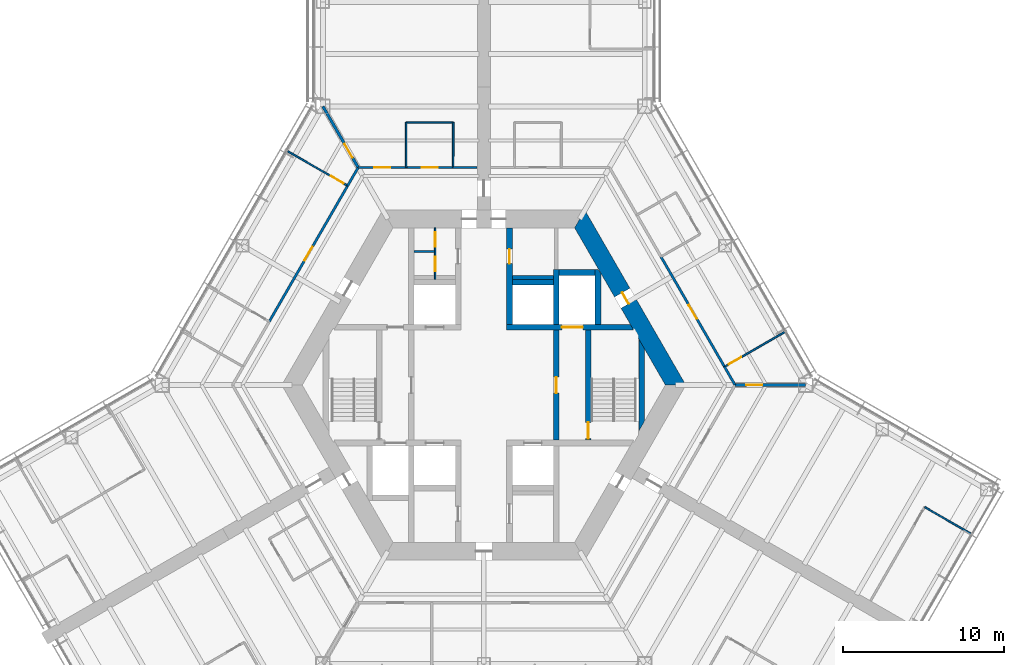
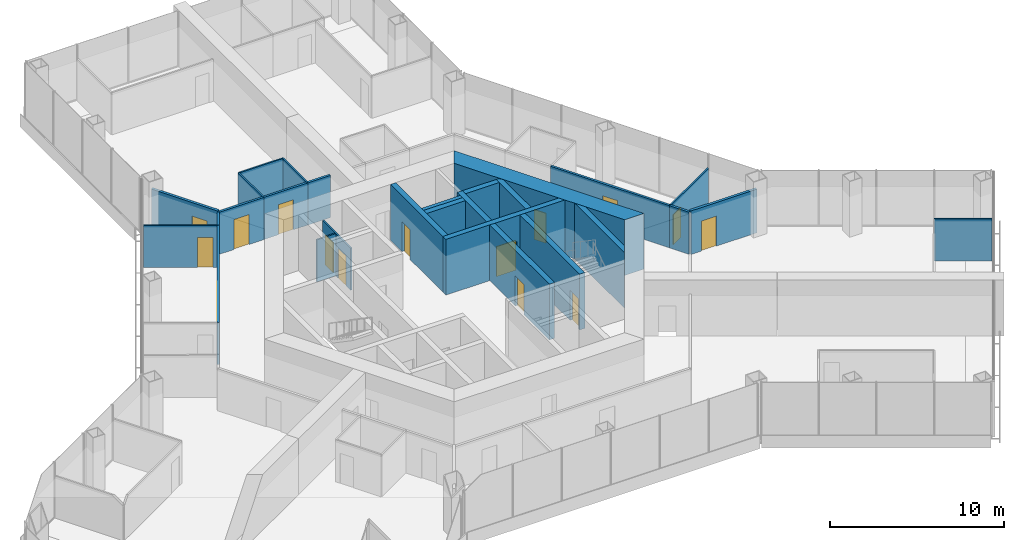
# One storey, part 14 of 18: 28 walls, 15 doors, 15 openings.
"""IFC4 building model written with IfcOpenShell, lengths in metres."""

from ifc_helpers import new_model, si_unit, direction, frame, frame_2d, origin, place, context, subcontext, project, spatial, polyline, rectangle, outline, extrude, material, layer, layer_set, type_object, element, fill, save


model = new_model("IFC4")

# Units and contexts
model_context = context("Model", 3, precision=1e-05, world=origin(), true_north=direction((0.0, 1.0)))
body_context = subcontext(model_context, "Body", "Model", "MODEL_VIEW")
ifc_project = project(units=[si_unit("LENGTHUNIT", "METRE"), si_unit("AREAUNIT", "SQUARE_METRE"), si_unit("VOLUMEUNIT", "CUBIC_METRE"), si_unit("PLANEANGLEUNIT", "RADIAN"), si_unit("MASSUNIT", "GRAM", prefix="KILO")], contexts=[model_context])

# Site, building, storey
site_placement = place(None, origin())
site = spatial("IfcSite", under=ifc_project, at=site_placement, CompositionType="ELEMENT")
building_placement = place(site_placement, origin())
building = spatial("IfcBuilding", under=site, at=building_placement, Name="Kasaneha Research Tower", CompositionType="ELEMENT")
storey_placement = place(building_placement, frame((0.0, 0.0, 72.89990234375)))
storey = spatial("IfcBuildingStorey", under=building, at=storey_placement, Name="L18", CompositionType="ELEMENT", Elevation=72.89990234375)

# Wall, opening, door
ifc_material_1 = material(Name="Concrete Fc80", Category="concrete")
ifc_layer_1 = layer(ifc_material_1, 0.35009765625)
ifc_layer_set_1 = layer_set([ifc_layer_1], Name="Core internal wall 350 Fc80")
wall_type_1 = type_object("IfcWallType", Name="Core internal wall 350 Fc80", PredefinedType="SHEAR", material=ifc_layer_set_1)
wall_1_placement = place(storey_placement, frame((1.425048828125, 3.60009765625, 0.0), z_axis=(0.0, 0.0, 1.0), x_axis=(1.0, 0.0, 0.0)))
wall_1 = element("IfcWall", 1, at=wall_1_placement, inside=storey, type_object=wall_type_1, Name="Core wall W1E L18", PredefinedType="SHEAR", context=body_context, shape_type="SweptSolid", body=[
    extrude(outline(polyline([(0.0, -0.175048828125), (3.425048828125, -0.175048828125), (4.72509765625, -0.175048828125), (7.884765625, -0.175048828125), (7.6826171875, 0.175048828125), (4.72509765625, 0.175048828125), (3.425048828125, 0.175048828125), (0.0, 0.175048828125), (0.0, -0.175048828125)])), origin(), (0.0, 0.0, 1.0), 3.900146484375),
])
opening_1_placement = place(wall_1_placement, frame((3.425048828125, 0.0, 0.0)))
opening_1 = element("IfcOpeningElement", 2, at=opening_1_placement, cuts=wall_1, Name="Opening LD-FL1-L18", PredefinedType="OPENING", context=body_context, shape_type="SweptSolid", body=[
    extrude(rectangle(XDim=1.300048828125, YDim=2.10009765625, at=frame_2d((0.64990234375, 1.050048828125))), frame((0.0, 0.18505859375, 0.0), z_axis=(0.0, -1.0, 0.0), x_axis=(1.0, 0.0, 0.0)), (0.0, 0.0, 1.0), 0.3701171875),
])
ifc_material_2 = material(Name="Steel", Category="steel")
door_type_1 = type_object("IfcDoorType", Name="Lift landing door 1300x2100", OperationType="DOUBLE_DOOR_SLIDING", PredefinedType="DOOR", material=ifc_material_2)
door_1_placement = place(opening_1_placement, origin())
door_1 = element("IfcDoor", 3, at=door_1_placement, inside=storey, type_object=door_type_1, Name="Landing door FL1 LD-FL1-L18", OperationType="DOUBLE_DOOR_SLIDING", OverallHeight=2.10009765625, OverallWidth=1.300048828125, PredefinedType="DOOR", context=body_context, shape_type="SweptSolid", body=[
    extrude(rectangle(XDim=1.300048828125, YDim=2.10009765625, at=frame_2d((0.64990234375, 1.050048828125))), frame((0.0, 0.02490234375, 0.0), z_axis=(0.0, -1.0, 0.0), x_axis=(1.0, 0.0, 0.0)), (0.0, 0.0, 1.0), 0.050048828125),
])
fill(opening_1, door_1)

wall_2_placement = place(storey_placement, frame((1.60009765625, 3.77490234375, 0.0), z_axis=(0.0, 0.0, 1.0), x_axis=(0.0, 1.0, 0.0)))
wall_2 = element("IfcWall", 4, at=wall_2_placement, inside=storey, type_object=wall_type_1, Name="Core wall CNE L18", PredefinedType="SHEAR", context=body_context, shape_type="SweptSolid", body=[
    extrude(rectangle(XDim=6.0, YDim=0.35009765625, at=frame_2d((3.0, 0.0))), origin(), (0.0, 0.0, 1.0), 3.900146484375),
])
opening_2_placement = place(wall_2_placement, frame((3.77490234375, 0.0, 0.0)))
opening_2 = element("IfcOpeningElement", 5, at=opening_2_placement, cuts=wall_2, Name="Opening L18-D14", PredefinedType="OPENING", context=body_context, shape_type="SweptSolid", body=[
    extrude(rectangle(XDim=0.89990234375, YDim=2.10009765625, at=frame_2d((0.449951171875, 1.050048828125))), frame((0.0, 0.18505859375, 0.0), z_axis=(0.0, -1.0, 0.0), x_axis=(1.0, 0.0, 0.0)), (0.0, 0.0, 1.0), 0.3701171875),
])
ifc_material_3 = material(Name="Steel", Category="steel")
door_type_2 = type_object("IfcDoorType", Name="Toilet door FD20 900x2100", OperationType="NOTDEFINED", PredefinedType="DOOR", material=ifc_material_3)
door_2_placement = place(opening_2_placement, origin())
door_2 = element("IfcDoor", 6, at=door_2_placement, inside=storey, type_object=door_type_2, Name="Women's WC door L18-D14", OperationType="SINGLE_SWING_LEFT", OverallHeight=2.10009765625, OverallWidth=0.89990234375, PredefinedType="DOOR", context=body_context, shape_type="SweptSolid", body=[
    extrude(rectangle(XDim=0.89990234375, YDim=2.10009765625, at=frame_2d((0.449951171875, 1.050048828125))), frame((0.0, 0.02490234375, 0.0), z_axis=(0.0, -1.0, 0.0), x_axis=(1.0, 0.0, 0.0)), (0.0, 0.0, 1.0), 0.050048828125),
])
fill(opening_2, door_2)

wall_3_placement = place(storey_placement, frame((4.5, -3.425048828125, 0.0), z_axis=(0.0, 0.0, 1.0), x_axis=(0.0, 1.0, 0.0)))
wall_3 = element("IfcWall", 7, at=wall_3_placement, inside=storey, type_object=wall_type_1, Name="Core wall LBE L18", PredefinedType="SHEAR", context=body_context, shape_type="SweptSolid", body=[
    extrude(rectangle(XDim=6.85009765625, YDim=0.35009765625, at=frame_2d((3.425048828125, 0.0))), origin(), (0.0, 0.0, 1.0), 3.900146484375),
])
opening_3_placement = place(wall_3_placement, frame((2.925048828125, 0.0, 0.0)))
opening_3 = element("IfcOpeningElement", 8, at=opening_3_placement, cuts=wall_3, Name="Opening L18-D08", PredefinedType="OPENING", context=body_context, shape_type="SweptSolid", body=[
    extrude(rectangle(XDim=1.0, YDim=2.10009765625, at=frame_2d((0.5, 1.050048828125))), frame((0.0, 0.18505859375, 0.0), z_axis=(0.0, -1.0, 0.0), x_axis=(1.0, 0.0, 0.0)), (0.0, 0.0, 1.0), 0.3701171875),
])
ifc_material_4 = material(Name="Steel", Category="steel")
door_type_3 = type_object("IfcDoorType", Name="Specified fire door FD60 1000x2100", OperationType="NOTDEFINED", PredefinedType="DOOR", material=ifc_material_4)
door_3_placement = place(opening_3_placement, origin())
door_3 = element("IfcDoor", 9, at=door_3_placement, inside=storey, type_object=door_type_3, Name="Lift lobby door east L18-D08", OperationType="SINGLE_SWING_LEFT", OverallHeight=2.10009765625, OverallWidth=1.0, PredefinedType="DOOR", context=body_context, shape_type="SweptSolid", body=[
    extrude(rectangle(XDim=1.0, YDim=2.10009765625, at=frame_2d((0.5, 1.050048828125))), frame((0.0, 0.02490234375, 0.0), z_axis=(0.0, -1.0, 0.0), x_axis=(1.0, 0.0, 0.0)), (0.0, 0.0, 1.0), 0.050048828125),
])
fill(opening_3, door_3)

wall_4_placement = place(storey_placement, frame((6.5, -3.425048828125, 0.0), z_axis=(0.0, 0.0, 1.0), x_axis=(0.0, 1.0, 0.0)))
wall_4 = element("IfcWall", 10, at=wall_4_placement, inside=storey, type_object=wall_type_1, Name="Core wall ANE L18", PredefinedType="SHEAR", context=body_context, shape_type="SweptSolid", body=[
    extrude(rectangle(XDim=6.85009765625, YDim=0.35009765625, at=frame_2d((3.425048828125, 0.0))), origin(), (0.0, 0.0, 1.0), 3.900146484375),
])
opening_4_placement = place(wall_4_placement, frame((0.10009765625, 0.0, 0.0)))
opening_4 = element("IfcOpeningElement", 11, at=opening_4_placement, cuts=wall_4, Name="Opening L18-D10", PredefinedType="OPENING", context=body_context, shape_type="SweptSolid", body=[
    extrude(rectangle(XDim=1.0, YDim=2.10009765625, at=frame_2d((0.5, 1.050048828125))), frame((0.0, 0.18505859375, 0.0), z_axis=(0.0, -1.0, 0.0), x_axis=(1.0, 0.0, 0.0)), (0.0, 0.0, 1.0), 0.3701171875),
])
door_4_placement = place(opening_4_placement, origin())
door_4 = element("IfcDoor", 12, at=door_4_placement, inside=storey, type_object=door_type_3, Name="Stair 1 door L18-D10", OperationType="SINGLE_SWING_LEFT", OverallHeight=2.10009765625, OverallWidth=1.0, PredefinedType="DOOR", context=body_context, shape_type="SweptSolid", body=[
    extrude(rectangle(XDim=1.0, YDim=2.10009765625, at=frame_2d((0.5, 1.050048828125))), frame((0.0, 0.02490234375, 0.0), z_axis=(0.0, -1.0, 0.0), x_axis=(1.0, 0.0, 0.0)), (0.0, 0.0, 1.0), 0.050048828125),
])
fill(opening_4, door_4)

# Walls
wall_5_placement = place(storey_placement, frame((4.5, 3.77490234375, 0.0), z_axis=(0.0, 0.0, 1.0), x_axis=(0.0, 1.0, 0.0)))
element("IfcWall", 13, at=wall_5_placement, inside=storey, type_object=wall_type_1, Name="Core wall FNE L18", PredefinedType="SHEAR", context=body_context, shape_type="SweptSolid", body=[
    extrude(rectangle(XDim=3.400146484375, YDim=0.35009765625, at=frame_2d((1.7001953125, 0.0))), origin(), (0.0, 0.0, 1.0), 3.900146484375),
])
wall_6_placement = place(storey_placement, frame((1.77490234375, 6.39990234375, 0.0), z_axis=(0.0, 0.0, 1.0), x_axis=(1.0, 0.0, 0.0)))
element("IfcWall", 14, at=wall_6_placement, inside=storey, type_object=wall_type_1, Name="Core wall N3N L18", PredefinedType="SHEAR", context=body_context, shape_type="SweptSolid", body=[
    extrude(rectangle(XDim=2.550048828125, YDim=0.35009765625, at=frame_2d((1.27490234375, 0.0))), origin(), (0.0, 0.0, 1.0), 3.900146484375),
])
wall_7_placement = place(storey_placement, frame((4.675048828125, 7.0, 0.0), z_axis=(0.0, 0.0, 1.0), x_axis=(1.0, 0.0, 0.0)))
element("IfcWall", 15, at=wall_7_placement, inside=storey, type_object=wall_type_1, Name="Core wall F1N L18", PredefinedType="SHEAR", context=body_context, shape_type="SweptSolid", body=[
    extrude(rectangle(XDim=2.25, YDim=0.35009765625, at=frame_2d((1.125, 0.0))), origin(), (0.0, 0.0, 1.0), 3.900146484375),
])
wall_8_placement = place(storey_placement, frame((7.10009765625, 3.77490234375, 0.0), z_axis=(0.0, 0.0, 1.0), x_axis=(0.0, 1.0, 0.0)))
element("IfcWall", 16, at=wall_8_placement, inside=storey, type_object=wall_type_1, Name="Core wall F1E L18", PredefinedType="SHEAR", context=body_context, shape_type="SweptSolid", body=[
    extrude(outline(polyline([(0.0, -0.175048828125), (3.174560546875, -0.175048828125), (3.400146484375, 0.0), (3.400146484375, 0.175048828125), (0.0, 0.175048828125), (0.0, -0.175048828125)])), origin(), (0.0, 0.0, 1.0), 3.900146484375),
])
wall_9_placement = place(storey_placement, frame((9.807861328125, -2.562255859375, 0.0), z_axis=(0.0, 0.0, 1.0), x_axis=(0.0, 1.0, 0.0)))
element("IfcWall", 17, at=wall_9_placement, inside=storey, type_object=wall_type_1, Name="Core wall STE L18", PredefinedType="SHEAR", context=body_context, shape_type="SweptSolid", body=[
    extrude(outline(polyline([(0.30322265625, -0.175048828125), (4.8212890625, -0.175048828125), (5.427734375, 0.175048828125), (-0.30322265625, 0.175048828125), (0.30322265625, -0.175048828125)])), origin(), (0.0, 0.0, 1.0), 3.900146484375),
])

# Wall, opening, door
ifc_material_5 = material(Name="Concrete Fc80", Category="concrete")
ifc_layer_2 = layer(ifc_material_5, 1.10009765625)
ifc_layer_set_2 = layer_set([ifc_layer_2], Name="Core wall 1100 Fc80")
wall_type_2 = type_object("IfcWallType", Name="Core wall 1100 Fc80", PredefinedType="SHEAR", material=ifc_layer_set_2)
wall_10_placement = place(storey_placement, frame((11.92236328125, 0.0, 0.0), z_axis=(0.0, 0.0, 1.0), x_axis=(-0.500004296715, 0.866022923061, 0.0)))
wall_10 = element("IfcWall", 18, at=wall_10_placement, inside=storey, type_object=wall_type_2, Name="Core wall 030 L18", PredefinedType="SHEAR", context=body_context, shape_type="SweptSolid", body=[
    extrude(outline(polyline([(-0.317626953125, -0.550048828125), (5.83544921875, -0.550048828125), (6.635498046875, -0.550048828125), (12.239990234375, -0.550048828125), (11.604736328125, 0.550048828125), (6.635498046875, 0.550048828125), (5.83544921875, 0.550048828125), (0.317626953125, 0.550048828125), (-0.317626953125, -0.550048828125)])), origin(), (0.0, 0.0, 1.0), 3.900146484375),
])
opening_5_placement = place(wall_10_placement, frame((5.83544921875, 0.0, 0.0)))
opening_5 = element("IfcOpeningElement", 19, at=opening_5_placement, cuts=wall_10, Name="Opening L18-D04", PredefinedType="OPENING", context=body_context, shape_type="SweptSolid", body=[
    extrude(rectangle(XDim=0.800048828125, YDim=2.10009765625, at=frame_2d((0.39990234375, 1.050048828125))), frame((0.0, 0.56005859375, 0.0), z_axis=(0.0, -1.0, 0.0), x_axis=(1.0, 0.0, 0.0)), (0.0, 0.0, 1.0), 1.1201171875),
])
ifc_material_6 = material(Name="Steel", Category="steel")
door_type_4 = type_object("IfcDoorType", Name="Riser access door FD60 800x2100", OperationType="NOTDEFINED", PredefinedType="DOOR", material=ifc_material_6)
door_5_placement = place(opening_5_placement, origin())
door_5 = element("IfcDoor", 20, at=door_5_placement, inside=storey, type_object=door_type_4, Name="Pipe riser door L18-D04", OperationType="SINGLE_SWING_RIGHT", OverallHeight=2.10009765625, OverallWidth=0.800048828125, PredefinedType="DOOR", context=body_context, shape_type="SweptSolid", body=[
    extrude(rectangle(XDim=0.800048828125, YDim=2.10009765625, at=frame_2d((0.39990234375, 1.050048828125))), frame((0.0, 0.02490234375, 0.0), z_axis=(0.0, -1.0, 0.0), x_axis=(1.0, 0.0, 0.0)), (0.0, 0.0, 1.0), 0.050048828125),
])
fill(opening_5, door_5)

# Wall, openings, doors
ifc_material_7 = material(Name="Gypsum board on steel studs, one layer each side", Category="steel")
ifc_layer_3 = layer(ifc_material_7, 0.10009765625)
ifc_layer_set_3 = layer_set([ifc_layer_3], Name="Office partition 100")
wall_type_3 = type_object("IfcWallType", Name="Office partition 100", PredefinedType="PARTITIONING", material=ifc_layer_set_3)
wall_11_placement = place(storey_placement, frame((-3.02490234375, 6.574951171875, 0.0), z_axis=(0.0, 0.0, 1.0), x_axis=(0.0, 1.0, 0.0)))
wall_11 = element("IfcWall", 21, at=wall_11_placement, inside=storey, type_object=wall_type_3, Name="Office partition TBM1 L18", PredefinedType="PARTITIONING", context=body_context, shape_type="SweptSolid", body=[
    extrude(rectangle(XDim=3.199951171875, YDim=0.10009765625, at=frame_2d((1.60009765625, 0.0))), origin(), (0.0, 0.0, 1.0), 2.9501953125),
])
opening_6_placement = place(wall_11_placement, frame((0.512451171875, 0.0, 0.0)))
opening_6 = element("IfcOpeningElement", 22, at=opening_6_placement, cuts=wall_11, Name="Opening L18-D20", PredefinedType="OPENING", context=body_context, shape_type="SweptSolid", body=[
    extrude(rectangle(XDim=0.89990234375, YDim=2.10009765625, at=frame_2d((0.449951171875, 1.050048828125))), frame((0.0, 0.06005859375, 0.0), z_axis=(0.0, -1.0, 0.0), x_axis=(1.0, 0.0, 0.0)), (0.0, 0.0, 1.0), 0.1201171875),
])
opening_7_placement = place(wall_11_placement, frame((2.03759765625, 0.0, 0.0)))
opening_7 = element("IfcOpeningElement", 23, at=opening_7_placement, cuts=wall_11, Name="Opening L18-D21", PredefinedType="OPENING", context=body_context, shape_type="SweptSolid", body=[
    extrude(rectangle(XDim=0.89990234375, YDim=2.10009765625, at=frame_2d((0.449951171875, 1.050048828125))), frame((0.0, 0.06005859375, 0.0), z_axis=(0.0, -1.0, 0.0), x_axis=(1.0, 0.0, 0.0)), (0.0, 0.0, 1.0), 0.1201171875),
])
ifc_material_8 = material(Name="Steel", Category="steel")
door_type_5 = type_object("IfcDoorType", Name="Toilet lobby door FD30 900x2100", OperationType="NOTDEFINED", PredefinedType="DOOR", material=ifc_material_8)
door_6_placement = place(opening_6_placement, origin())
door_6 = element("IfcDoor", 24, at=door_6_placement, inside=storey, type_object=door_type_5, Name="Men's WC door L18-D20", OperationType="SINGLE_SWING_RIGHT", OverallHeight=2.10009765625, OverallWidth=0.89990234375, PredefinedType="DOOR", context=body_context, shape_type="SweptSolid", body=[
    extrude(rectangle(XDim=0.89990234375, YDim=2.10009765625, at=frame_2d((0.449951171875, 1.050048828125))), frame((0.0, 0.02490234375, 0.0), z_axis=(0.0, -1.0, 0.0), x_axis=(1.0, 0.0, 0.0)), (0.0, 0.0, 1.0), 0.050048828125),
])
fill(opening_6, door_6)
door_7_placement = place(opening_7_placement, origin())
door_7 = element("IfcDoor", 25, at=door_7_placement, inside=storey, type_object=door_type_5, Name="Cleaner's store door L18-D21", OperationType="SINGLE_SWING_RIGHT", OverallHeight=2.10009765625, OverallWidth=0.89990234375, PredefinedType="DOOR", context=body_context, shape_type="SweptSolid", body=[
    extrude(rectangle(XDim=0.89990234375, YDim=2.10009765625, at=frame_2d((0.449951171875, 1.050048828125))), frame((0.0, 0.02490234375, 0.0), z_axis=(0.0, -1.0, 0.0), x_axis=(1.0, 0.0, 0.0)), (0.0, 0.0, 1.0), 0.050048828125),
])
fill(opening_7, door_7)

# Wall
wall_12_placement = place(storey_placement, frame((-3.074951171875, 8.300048828125, 0.0), z_axis=(0.0, 0.0, 1.0), x_axis=(-1.0, 0.0, 0.0)))
element("IfcWall", 26, at=wall_12_placement, inside=storey, type_object=wall_type_3, Name="Office partition TBM2 L18", PredefinedType="PARTITIONING", context=body_context, shape_type="SweptSolid", body=[
    extrude(rectangle(XDim=1.25, YDim=0.10009765625, at=frame_2d((0.625, 0.0))), origin(), (0.0, 0.0, 1.0), 2.9501953125),
])

# Wall, opening, door
wall_13_placement = place(storey_placement, frame((14.961669921875, 1.1357421875, 0.0), z_axis=(0.0, 0.0, 1.0), x_axis=(0.865503653685, 0.500902610751, 0.0)))
wall_13 = element("IfcWall", 27, at=wall_13_placement, inside=storey, type_object=wall_type_3, Name="Office partition FAE21 L18", PredefinedType="PARTITIONING", context=body_context, shape_type="SweptSolid", body=[
    extrude(rectangle(XDim=4.3203125, YDim=0.10009765625, at=frame_2d((2.16015625, 0.0))), origin(), (0.0, 0.0, 1.0), 2.9501953125),
])
opening_8_placement = place(wall_13_placement, frame((0.300048828125, 0.0, 0.0)))
opening_8 = element("IfcOpeningElement", 28, at=opening_8_placement, cuts=wall_13, Name="Opening L18-D31", PredefinedType="OPENING", context=body_context, shape_type="SweptSolid", body=[
    extrude(rectangle(XDim=0.89990234375, YDim=2.10009765625, at=frame_2d((0.449951171875, 1.050048828125))), frame((0.0, 0.06005859375, 0.0), z_axis=(0.0, -1.0, 0.0), x_axis=(1.0, 0.0, 0.0)), (0.0, 0.0, 1.0), 0.1201171875),
])
ifc_material_9 = material(Name="Timber veneer", Category="wood")
door_type_6 = type_object("IfcDoorType", Name="Office door 900x2100", OperationType="SINGLE_SWING_LEFT", PredefinedType="DOOR", material=ifc_material_9)
door_8_placement = place(opening_8_placement, origin())
door_8 = element("IfcDoor", 29, at=door_8_placement, inside=storey, type_object=door_type_6, Name="Phone room door L18-D31", OperationType="SINGLE_SWING_LEFT", OverallHeight=2.10009765625, OverallWidth=0.89990234375, PredefinedType="DOOR", context=body_context, shape_type="SweptSolid", body=[
    extrude(rectangle(XDim=0.89990234375, YDim=2.10009765625, at=frame_2d((0.449951171875, 1.050048828125))), frame((0.0, 0.02490234375, 0.0), z_axis=(0.0, -1.0, 0.0), x_axis=(1.0, 0.0, 0.0)), (0.0, 0.0, 1.0), 0.050048828125),
])
fill(opening_8, door_8)

# Walls
wall_14_placement = place(storey_placement, frame((-4.8291015625, 16.324951171875, 0.0), z_axis=(0.0, 0.0, 1.0), x_axis=(1.0, 0.0, 0.0)))
element("IfcWall", 30, at=wall_14_placement, inside=storey, type_object=wall_type_3, Name="Office partition FAW04 L18", PredefinedType="PARTITIONING", context=body_context, shape_type="SweptSolid", body=[
    extrude(rectangle(XDim=2.92919921875, YDim=0.10009765625, at=frame_2d((1.464599609375, 0.0))), origin(), (0.0, 0.0, 1.0), 2.9501953125),
])
for number, where, z_axis, x_axis, name in (
    (31, (-4.824462890625, 13.52490234375, 0.0), (0.0, 0.0, 1.0), (-0.001656637364, 0.999998627775, 0.0), "Office partition FAW05 L18"),
    (32, (-1.89990234375, 16.324951171875, 0.0), (0.0, 0.0, 1.0), (-0.001656637364, -0.999998627775, 0.0), "Office partition FAW06 L18"),
):
    element("IfcWall", number, at=place(storey_placement, frame(where, z_axis=z_axis, x_axis=x_axis)), inside=storey, type_object=wall_type_3, Name=name, PredefinedType="PARTITIONING", context=body_context, shape_type="SweptSolid", body=[
        extrude(rectangle(XDim=2.800048828125, YDim=0.10009765625, at=frame_2d((1.39990234375, 0.0))), origin(), (0.0, 0.0, 1.0), 2.9501953125),
    ])

# Wall, opening, door
wall_15_placement = place(storey_placement, frame((-8.46435546875, 12.389404296875, 0.0), z_axis=(0.0, 0.0, 1.0), x_axis=(-0.866548715099, 0.499092500806, 0.0)))
wall_15 = element("IfcWall", 33, at=wall_15_placement, inside=storey, type_object=wall_type_3, Name="Office partition FBN11 L18", PredefinedType="PARTITIONING", context=body_context, shape_type="SweptSolid", body=[
    extrude(rectangle(XDim=4.29541015625, YDim=0.10009765625, at=frame_2d((2.147705078125, 0.0))), origin(), (0.0, 0.0, 1.0), 2.9501953125),
])
opening_9_placement = place(wall_15_placement, frame((0.300048828125, 0.0, 0.0)))
opening_9 = element("IfcOpeningElement", 34, at=opening_9_placement, cuts=wall_15, Name="Opening L18-D39", PredefinedType="OPENING", context=body_context, shape_type="SweptSolid", body=[
    extrude(rectangle(XDim=0.89990234375, YDim=2.10009765625, at=frame_2d((0.449951171875, 1.050048828125))), frame((0.0, 0.06005859375, 0.0), z_axis=(0.0, -1.0, 0.0), x_axis=(1.0, 0.0, 0.0)), (0.0, 0.0, 1.0), 0.1201171875),
])
door_9_placement = place(opening_9_placement, origin())
door_9 = element("IfcDoor", 35, at=door_9_placement, inside=storey, type_object=door_type_6, Name="Workroom door L18-D39", OperationType="SINGLE_SWING_LEFT", OverallHeight=2.10009765625, OverallWidth=0.89990234375, PredefinedType="DOOR", context=body_context, shape_type="SweptSolid", body=[
    extrude(rectangle(XDim=0.89990234375, YDim=2.10009765625, at=frame_2d((0.449951171875, 1.050048828125))), frame((0.0, 0.02490234375, 0.0), z_axis=(0.0, -1.0, 0.0), x_axis=(1.0, 0.0, 0.0)), (0.0, 0.0, 1.0), 0.050048828125),
])
fill(opening_9, door_9)

# Walls
wall_16_placement = place(storey_placement, frame((27.400146484375, -7.58251953125, 0.0), z_axis=(0.0, 0.0, 1.0), x_axis=(0.866008176907, -0.50002983664, 0.0)))
element("IfcWall", 36, at=wall_16_placement, inside=storey, type_object=wall_type_3, Name="Office partition FCE03 L18", PredefinedType="PARTITIONING", context=body_context, shape_type="SweptSolid", body=[
    extrude(rectangle(XDim=3.300048828125, YDim=0.10009765625, at=frame_2d((1.64990234375, 0.0))), origin(), (0.0, 0.0, 1.0), 2.9501953125),
])
ifc_material_10 = material(Name="Gypsum board on steel studs, two layers each side", Category="steel")
ifc_layer_4 = layer(ifc_material_10, 0.14990234375)
ifc_layer_set_4 = layer_set([ifc_layer_4], Name="Suite partition 150")
wall_type_4 = type_object("IfcWallType", Name="Suite partition 150", PredefinedType="PARTITIONING", material=ifc_layer_set_4)
wall_17_placement = place(storey_placement, frame((14.956787109375, 1.143798828125, 0.0), z_axis=(0.0, 0.0, 1.0), x_axis=(0.500064441305, -0.865988195383, 0.0)))
element("IfcWall", 37, at=wall_17_placement, inside=storey, type_object=wall_type_4, Name="Suite partition FAE03 L18", PredefinedType="PARTITIONING", context=body_context, shape_type="SweptSolid", body=[
    extrude(rectangle(XDim=1.297607421875, YDim=0.14990234375, at=frame_2d((0.64892578125, 0.0))), origin(), (0.0, 0.0, 1.0), 2.9501953125),
])

# Wall, opening, door
wall_18_placement = place(storey_placement, frame((11.0107421875, 7.978759765625, 0.0), z_axis=(0.0, 0.0, 1.0), x_axis=(0.500010411682, -0.866019392513, 0.0)))
wall_18 = element("IfcWall", 38, at=wall_18_placement, inside=storey, type_object=wall_type_4, Name="Suite partition FAE07 L18", PredefinedType="PARTITIONING", context=body_context, shape_type="SweptSolid", body=[
    extrude(rectangle(XDim=7.901611328125, YDim=0.14990234375, at=frame_2d((3.95068359375, 0.0))), origin(), (0.0, 0.0, 1.0), 2.9501953125),
])
opening_10_placement = place(wall_18_placement, frame((3.450927734375, 0.0, 0.0)))
opening_10 = element("IfcOpeningElement", 39, at=opening_10_placement, cuts=wall_18, Name="Opening L18-D26", PredefinedType="OPENING", context=body_context, shape_type="SweptSolid", body=[
    extrude(rectangle(XDim=1.0, YDim=2.10009765625, at=frame_2d((0.5, 1.050048828125))), frame((0.0, 0.0849609375, 0.0), z_axis=(0.0, -1.0, 0.0), x_axis=(1.0, 0.0, 0.0)), (0.0, 0.0, 1.0), 0.169921875),
])
ifc_material_11 = material(Name="Steel", Category="steel")
door_type_7 = type_object("IfcDoorType", Name="Suite entrance door FD60 1000x2100", OperationType="NOTDEFINED", PredefinedType="DOOR", material=ifc_material_11)
door_10_placement = place(opening_10_placement, origin())
door_10 = element("IfcDoor", 40, at=door_10_placement, inside=storey, type_object=door_type_7, Name="Suite entrance door L18-D26", OperationType="SINGLE_SWING_RIGHT", OverallHeight=2.10009765625, OverallWidth=1.0, PredefinedType="DOOR", context=body_context, shape_type="SweptSolid", body=[
    extrude(rectangle(XDim=1.0, YDim=2.10009765625, at=frame_2d((0.5, 1.050048828125))), frame((0.0, 0.02490234375, 0.0), z_axis=(0.0, -1.0, 0.0), x_axis=(1.0, 0.0, 0.0)), (0.0, 0.0, 1.0), 0.050048828125),
])
fill(opening_10, door_10)

wall_19_placement = place(storey_placement, frame((-4.833984375, 13.52490234375, 0.0), z_axis=(0.0, 0.0, 1.0), x_axis=(1.0, 0.0, 0.0)))
wall_19 = element("IfcWall", 41, at=wall_19_placement, inside=storey, type_object=wall_type_4, Name="Suite partition FAW01 L18", PredefinedType="PARTITIONING", context=body_context, shape_type="SweptSolid", body=[
    extrude(rectangle(XDim=2.93896484375, YDim=0.14990234375, at=frame_2d((1.469482421875, 0.0))), origin(), (0.0, 0.0, 1.0), 2.9501953125),
])
opening_11_placement = place(wall_19_placement, frame((0.969482421875, 0.0, 0.0)))
opening_11 = element("IfcOpeningElement", 42, at=opening_11_placement, cuts=wall_19, Name="Opening L18-D32", PredefinedType="OPENING", context=body_context, shape_type="SweptSolid", body=[
    extrude(rectangle(XDim=1.0, YDim=2.10009765625, at=frame_2d((0.5, 1.050048828125))), frame((0.0, 0.0849609375, 0.0), z_axis=(0.0, -1.0, 0.0), x_axis=(1.0, 0.0, 0.0)), (0.0, 0.0, 1.0), 0.169921875),
])
door_11_placement = place(opening_11_placement, origin())
door_11 = element("IfcDoor", 43, at=door_11_placement, inside=storey, type_object=door_type_7, Name="Suite entrance door L18-D32", OperationType="SINGLE_SWING_RIGHT", OverallHeight=2.10009765625, OverallWidth=1.0, PredefinedType="DOOR", context=body_context, shape_type="SweptSolid", body=[
    extrude(rectangle(XDim=1.0, YDim=2.10009765625, at=frame_2d((0.5, 1.050048828125))), frame((0.0, 0.02490234375, 0.0), z_axis=(0.0, -1.0, 0.0), x_axis=(1.0, 0.0, 0.0)), (0.0, 0.0, 1.0), 0.050048828125),
])
fill(opening_11, door_11)

wall_20_placement = place(storey_placement, frame((-7.78564453125, 13.52490234375, 0.0), z_axis=(0.0, 0.0, 1.0), x_axis=(1.0, 0.0, 0.0)))
wall_20 = element("IfcWall", 44, at=wall_20_placement, inside=storey, type_object=wall_type_4, Name="Suite partition FAW02 L18", PredefinedType="PARTITIONING", context=body_context, shape_type="SweptSolid", body=[
    extrude(rectangle(XDim=2.961181640625, YDim=0.14990234375, at=frame_2d((1.48046875, 0.0))), origin(), (0.0, 0.0, 1.0), 2.9501953125),
])
opening_12_placement = place(wall_20_placement, frame((0.980712890625, 0.0, 0.0)))
opening_12 = element("IfcOpeningElement", 45, at=opening_12_placement, cuts=wall_20, Name="Opening L18-D33", PredefinedType="OPENING", context=body_context, shape_type="SweptSolid", body=[
    extrude(rectangle(XDim=1.0, YDim=2.10009765625, at=frame_2d((0.5, 1.050048828125))), frame((0.0, 0.0849609375, 0.0), z_axis=(0.0, -1.0, 0.0), x_axis=(1.0, 0.0, 0.0)), (0.0, 0.0, 1.0), 0.169921875),
])
door_12_placement = place(opening_12_placement, origin())
door_12 = element("IfcDoor", 46, at=door_12_placement, inside=storey, type_object=door_type_7, Name="Suite entrance door L18-D33", OperationType="SINGLE_SWING_RIGHT", OverallHeight=2.10009765625, OverallWidth=1.0, PredefinedType="DOOR", context=body_context, shape_type="SweptSolid", body=[
    extrude(rectangle(XDim=1.0, YDim=2.10009765625, at=frame_2d((0.5, 1.050048828125))), frame((0.0, 0.02490234375, 0.0), z_axis=(0.0, -1.0, 0.0), x_axis=(1.0, 0.0, 0.0)), (0.0, 0.0, 1.0), 0.050048828125),
])
fill(opening_12, door_12)

# Walls
wall_21_placement = place(storey_placement, frame((-1.904541015625, 13.52490234375, 0.0), z_axis=(0.0, 0.0, 1.0), x_axis=(1.0, 0.0, 0.0)))
element("IfcWall", 47, at=wall_21_placement, inside=storey, type_object=wall_type_4, Name="Suite partition FAW03 L18", PredefinedType="PARTITIONING", context=body_context, shape_type="SweptSolid", body=[
    extrude(rectangle(XDim=1.484619140625, YDim=0.14990234375, at=frame_2d((0.7421875, 0.0))), origin(), (0.0, 0.0, 1.0), 2.9501953125),
])
wall_22_placement = place(storey_placement, frame((-8.468994140625, 12.381103515625, 0.0), z_axis=(0.0, 0.0, 1.0), x_axis=(0.499923331814, 0.866069663658, 0.0)))
element("IfcWall", 48, at=wall_22_placement, inside=storey, type_object=wall_type_4, Name="Suite partition FBN02 L18", PredefinedType="PARTITIONING", context=body_context, shape_type="SweptSolid", body=[
    extrude(rectangle(XDim=1.297607421875, YDim=0.14990234375, at=frame_2d((0.64892578125, 0.0))), origin(), (0.0, 0.0, 1.0), 2.9501953125),
])

# Wall, opening, door
wall_23_placement = place(storey_placement, frame((-13.33837890625, 3.947265625, 0.0), z_axis=(0.0, 0.0, 1.0), x_axis=(0.499996337962, 0.866027518053, 0.0)))
wall_23 = element("IfcWall", 49, at=wall_23_placement, inside=storey, type_object=wall_type_4, Name="Suite partition FBN05 L18", PredefinedType="PARTITIONING", context=body_context, shape_type="SweptSolid", body=[
    extrude(rectangle(XDim=9.748046875, YDim=0.14990234375, at=frame_2d((4.8740234375, 0.0))), origin(), (0.0, 0.0, 1.0), 2.9501953125),
])
opening_13_placement = place(wall_23_placement, frame((4.3740234375, 0.0, 0.0)))
opening_13 = element("IfcOpeningElement", 50, at=opening_13_placement, cuts=wall_23, Name="Opening L18-D36", PredefinedType="OPENING", context=body_context, shape_type="SweptSolid", body=[
    extrude(rectangle(XDim=1.0, YDim=2.10009765625, at=frame_2d((0.5, 1.050048828125))), frame((0.0, 0.0849609375, 0.0), z_axis=(0.0, -1.0, 0.0), x_axis=(1.0, 0.0, 0.0)), (0.0, 0.0, 1.0), 0.169921875),
])
door_13_placement = place(opening_13_placement, origin())
door_13 = element("IfcDoor", 51, at=door_13_placement, inside=storey, type_object=door_type_7, Name="Suite entrance door L18-D36", OperationType="SINGLE_SWING_RIGHT", OverallHeight=2.10009765625, OverallWidth=1.0, PredefinedType="DOOR", context=body_context, shape_type="SweptSolid", body=[
    extrude(rectangle(XDim=1.0, YDim=2.10009765625, at=frame_2d((0.5, 1.050048828125))), frame((0.0, 0.02490234375, 0.0), z_axis=(0.0, -1.0, 0.0), x_axis=(1.0, 0.0, 0.0)), (0.0, 0.0, 1.0), 0.050048828125),
])
fill(opening_13, door_13)

ifc_material_12 = material(Name="Gypsum board on steel studs, two layers each side", Category="steel")
ifc_layer_5 = layer(ifc_material_12, 0.175048828125)
ifc_layer_set_5 = layer_set([ifc_layer_5], Name="Tenancy fire partition 175")
wall_type_5 = type_object("IfcWallType", Name="Tenancy fire partition 175", PredefinedType="PARTITIONING", material=ifc_layer_set_5)
wall_24_placement = place(storey_placement, frame((15.617431640625, 0.0, 0.0), z_axis=(0.0, 0.0, 1.0), x_axis=(1.0, 0.0, 0.0)))
wall_24 = element("IfcWall", 52, at=wall_24_placement, inside=storey, type_object=wall_type_5, Name="Tenancy fire partition T000 L18", PredefinedType="PARTITIONING", context=body_context, shape_type="SweptSolid", body=[
    extrude(rectangle(XDim=4.382568359375, YDim=0.175048828125, at=frame_2d((2.19140625, 0.0))), origin(), (0.0, 0.0, 1.0), 3.050048828125),
])
opening_14_placement = place(wall_24_placement, frame((0.699951171875, 0.0, 0.0)))
opening_14 = element("IfcOpeningElement", 53, at=opening_14_placement, cuts=wall_24, Name="Opening L18-D22", PredefinedType="OPENING", context=body_context, shape_type="SweptSolid", body=[
    extrude(rectangle(XDim=1.0, YDim=2.10009765625, at=frame_2d((0.5, 1.050048828125))), frame((0.0, 0.09765625, 0.0), z_axis=(0.0, -1.0, 0.0), x_axis=(1.0, 0.0, 0.0)), (0.0, 0.0, 1.0), 0.195068359375),
])
door_14_placement = place(opening_14_placement, origin())
door_14 = element("IfcDoor", 54, at=door_14_placement, inside=storey, type_object=door_type_7, Name="Connecting door L18-D22", OperationType="SINGLE_SWING_LEFT", OverallHeight=2.10009765625, OverallWidth=1.0, PredefinedType="DOOR", context=body_context, shape_type="SweptSolid", body=[
    extrude(rectangle(XDim=1.0, YDim=2.10009765625, at=frame_2d((0.5, 1.050048828125))), frame((0.0, 0.02490234375, 0.0), z_axis=(0.0, -1.0, 0.0), x_axis=(1.0, 0.0, 0.0)), (0.0, 0.0, 1.0), 0.050048828125),
])
fill(opening_14, door_14)

wall_25_placement = place(storey_placement, frame((-7.80859375, 13.52490234375, 0.0), z_axis=(0.0, 0.0, 1.0), x_axis=(-0.499997299682, 0.866026962808, 0.0)))
wall_25 = element("IfcWall", 55, at=wall_25_placement, inside=storey, type_object=wall_type_5, Name="Tenancy fire partition T120 L18", PredefinedType="PARTITIONING", context=body_context, shape_type="SweptSolid", body=[
    extrude(rectangle(XDim=4.3828125, YDim=0.175048828125, at=frame_2d((2.19140625, 0.0))), origin(), (0.0, 0.0, 1.0), 3.050048828125),
])
opening_15_placement = place(wall_25_placement, frame((0.699951171875, 0.0, 0.0)))
opening_15 = element("IfcOpeningElement", 56, at=opening_15_placement, cuts=wall_25, Name="Opening L18-D23", PredefinedType="OPENING", context=body_context, shape_type="SweptSolid", body=[
    extrude(rectangle(XDim=1.0, YDim=2.10009765625, at=frame_2d((0.5, 1.050048828125))), frame((0.0, 0.09765625, 0.0), z_axis=(0.0, -1.0, 0.0), x_axis=(1.0, 0.0, 0.0)), (0.0, 0.0, 1.0), 0.195068359375),
])
door_15_placement = place(opening_15_placement, origin())
door_15 = element("IfcDoor", 57, at=door_15_placement, inside=storey, type_object=door_type_7, Name="Connecting door L18-D23", OperationType="SINGLE_SWING_LEFT", OverallHeight=2.10009765625, OverallWidth=1.0, PredefinedType="DOOR", context=body_context, shape_type="SweptSolid", body=[
    extrude(rectangle(XDim=1.0, YDim=2.10009765625, at=frame_2d((0.5, 1.050048828125))), frame((0.0, 0.02490234375, 0.0), z_axis=(0.0, -1.0, 0.0), x_axis=(1.0, 0.0, 0.0)), (0.0, 0.0, 1.0), 0.050048828125),
])
fill(opening_15, door_15)

# Wall
ifc_material_13 = material(Name="Concrete block lining", Category="concrete")
ifc_layer_6 = layer(ifc_material_13, 0.25)
ifc_layer_set_6 = layer_set([ifc_layer_6], Name="WC plumbing wall 250")
wall_type_6 = type_object("IfcWallType", Name="WC plumbing wall 250", PredefinedType="PLUMBINGWALL", material=ifc_layer_set_6)
wall_26_placement = place(storey_placement, frame((1.77490234375, 6.699951171875, 0.0), z_axis=(0.0, 0.0, 1.0), x_axis=(1.0, 0.0, 0.0)))
element("IfcWall", 58, at=wall_26_placement, inside=storey, type_object=wall_type_6, Name="WC plumbing wall F L18", PredefinedType="PLUMBINGWALL", context=body_context, shape_type="SweptSolid", body=[
    extrude(rectangle(XDim=2.550048828125, YDim=0.25, at=frame_2d((1.27490234375, 0.0))), origin(), (0.0, 0.0, 1.0), 3.900146484375),
])

save(model, "model.ifc")
